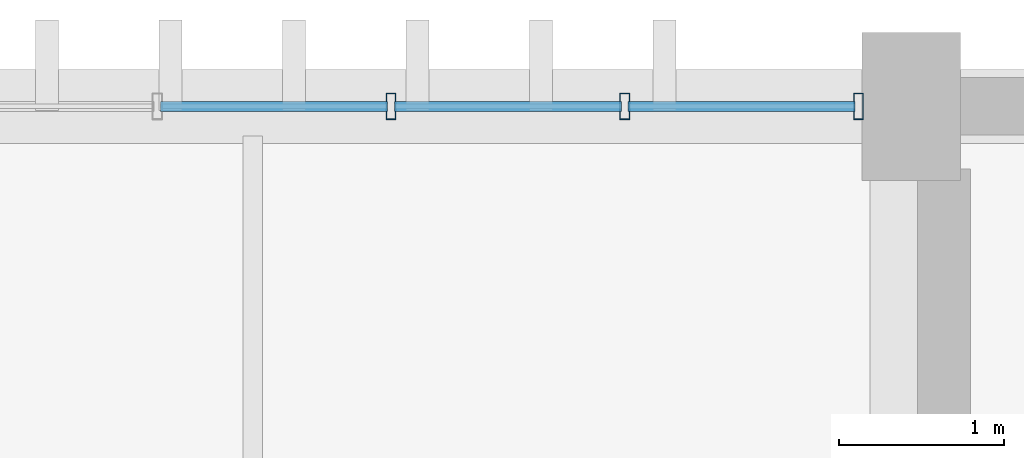
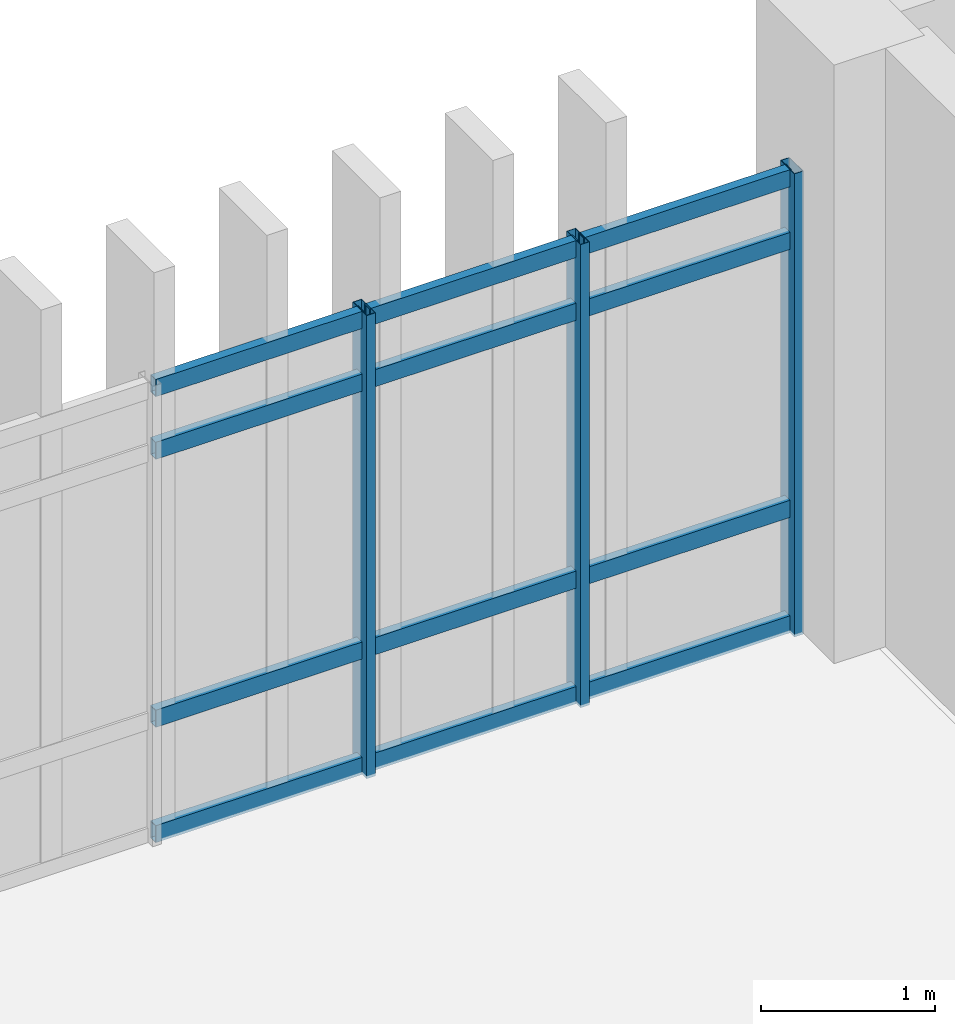
# One storey, part 53 of 111: 15 members, 1 element without a shape of its own.
"""IFC4 building model written with IfcOpenShell, lengths in metres."""

from ifc_helpers import new_model, si_unit, direction, frame, origin, origin_2d, place, context, subcontext, project, spatial, hollow_rectangle, extrude, material, layer, layer_set, material_profile, profile_set, type_object, element, aggregate, save


model = new_model("IFC4")

# Units and contexts
model_context = context("Model", 3, precision=1e-05, world=origin(), true_north=direction((0.0, 1.0)))
body_context = subcontext(model_context, "Body", "Model", "MODEL_VIEW")
ifc_project = project(units=[si_unit("LENGTHUNIT", "METRE"), si_unit("AREAUNIT", "SQUARE_METRE"), si_unit("VOLUMEUNIT", "CUBIC_METRE"), si_unit("PLANEANGLEUNIT", "RADIAN"), si_unit("MASSUNIT", "GRAM", prefix="KILO")], contexts=[model_context])

# Site, building, storey
site_placement = place(None, origin())
site = spatial("IfcSite", under=ifc_project, at=site_placement, CompositionType="ELEMENT")
building_placement = place(site_placement, origin())
building = spatial("IfcBuilding", under=site, at=building_placement, Name="Mersad Railyard Sports Hall", CompositionType="ELEMENT")
storey_placement = place(building_placement, frame((0.0, 0.0, 9.0)))
storey = spatial("IfcBuildingStorey", under=building, at=storey_placement, Name="L02", CompositionType="ELEMENT", Elevation=9.0)

# Curtain wall, members
ifc_material = material(Name="Aluminium 6063-T6", Category="aluminium")
ifc_layer = layer(ifc_material, 0.159912109375)
ifc_layer_set = layer_set([ifc_layer], Name="Aluminium 6063-T6")
curtain_wall_type = type_object("IfcCurtainWallType", Name="ARC-CW-CW52", PredefinedType="USERDEFINED", material=ifc_layer_set)
curtain_wall_placement = place(storey_placement, origin())
curtain_wall = element("IfcCurtainWall", 1, at=curtain_wall_placement, inside=storey, type_object=curtain_wall_type, Name="Curtain wall CW52-0140", ObjectType="CURTAIN WALL", PredefinedType="USERDEFINED")
ifc_material_profile_1 = material_profile(ifc_material, hollow_rectangle(XDim=0.06005859375, YDim=0.159912109375, WallThickness=0.00390625, at=origin_2d()), Name="AL MULLION 60x160x4")
ifc_profile_set_1 = profile_set([ifc_material_profile_1], Name="Aluminium 6063-T6")
member_type_1 = type_object("IfcMemberType", Name="ARC-CW-MUL01", PredefinedType="MULLION", material=ifc_profile_set_1)
member_1_placement = place(storey_placement, frame((87.840087890625, 115.0, -0.02001953125), z_axis=(0.0, 0.0, 1.0), x_axis=(1.0, 0.0, 0.0)))
member_1 = element("IfcMember", 2, at=member_1_placement, type_object=member_type_1, Name="CW52 Mullion 7", PredefinedType="MULLION", context=body_context, shape_type="SweptSolid", body=[
    extrude(hollow_rectangle(XDim=0.06005859375, YDim=0.159912109375, WallThickness=0.00390625, at=origin_2d()), origin(), (0.0, 0.0, 1.0), 3.25),
])
member_2_placement = place(storey_placement, frame((89.260009765625, 115.0, -0.02001953125), z_axis=(0.0, 0.0, 1.0), x_axis=(1.0, 0.0, 0.0)))
member_2 = element("IfcMember", 3, at=member_2_placement, type_object=member_type_1, Name="CW52 Mullion 8", PredefinedType="MULLION", context=body_context, shape_type="SweptSolid", body=[
    extrude(hollow_rectangle(XDim=0.06005859375, YDim=0.159912109375, WallThickness=0.00390625, at=origin_2d()), origin(), (0.0, 0.0, 1.0), 3.25),
])
member_3_placement = place(storey_placement, frame((90.679931640625, 115.0, -0.02001953125), z_axis=(0.0, 0.0, 1.0), x_axis=(1.0, 0.0, 0.0)))
member_3 = element("IfcMember", 4, at=member_3_placement, type_object=member_type_1, Name="CW52 Mullion 9", PredefinedType="MULLION", context=body_context, shape_type="SweptSolid", body=[
    extrude(hollow_rectangle(XDim=0.06005859375, YDim=0.159912109375, WallThickness=0.00390625, at=origin_2d()), origin(), (0.0, 0.0, 1.0), 3.25),
])
ifc_material_profile_2 = material_profile(ifc_material, hollow_rectangle(XDim=0.06005859375, YDim=0.1201171875, WallThickness=0.00390625, at=origin_2d()), Name="AL TRANSOM 60x120x4")
ifc_profile_set_2 = profile_set([ifc_material_profile_2], Name="Aluminium 6063-T6")
member_type_2 = type_object("IfcMemberType", Name="ARC-CW-TRN01", PredefinedType="USERDEFINED", material=ifc_profile_set_2)
member_4_placement = place(storey_placement, frame((86.43994140625, 115.0, 0.0400390625), z_axis=(1.0, 0.0, 0.0), x_axis=(0.0, 1.0, 0.0)))
member_4 = element("IfcMember", 5, at=member_4_placement, type_object=member_type_2, Name="CW52 Transom 1-6", ObjectType="TRANSOM", PredefinedType="USERDEFINED", context=body_context, shape_type="SweptSolid", body=[
    extrude(hollow_rectangle(XDim=0.06005859375, YDim=0.1201171875, WallThickness=0.00390625, at=origin_2d()), origin(), (0.0, 0.0, 1.0), 1.380126953125),
])
member_5_placement = place(storey_placement, frame((87.860107421875, 115.0, 0.0400390625), z_axis=(1.0, 0.0, 0.0), x_axis=(0.0, 1.0, 0.0)))
member_5 = element("IfcMember", 6, at=member_5_placement, type_object=member_type_2, Name="CW52 Transom 1-7", ObjectType="TRANSOM", PredefinedType="USERDEFINED", context=body_context, shape_type="SweptSolid", body=[
    extrude(hollow_rectangle(XDim=0.06005859375, YDim=0.1201171875, WallThickness=0.00390625, at=origin_2d()), origin(), (0.0, 0.0, 1.0), 1.3798828125),
])
member_6_placement = place(storey_placement, frame((89.280029296875, 115.0, 0.0400390625), z_axis=(1.0, 0.0, 0.0), x_axis=(0.0, 1.0, 0.0)))
member_6 = element("IfcMember", 7, at=member_6_placement, type_object=member_type_2, Name="CW52 Transom 1-8", ObjectType="TRANSOM", PredefinedType="USERDEFINED", context=body_context, shape_type="SweptSolid", body=[
    extrude(hollow_rectangle(XDim=0.06005859375, YDim=0.1201171875, WallThickness=0.00390625, at=origin_2d()), origin(), (0.0, 0.0, 1.0), 1.3798828125),
])
member_7_placement = place(storey_placement, frame((86.43994140625, 115.0, 0.85009765625), z_axis=(1.0, 0.0, 0.0), x_axis=(0.0, 1.0, 0.0)))
member_7 = element("IfcMember", 8, at=member_7_placement, type_object=member_type_2, Name="CW52 Transom 2-6", ObjectType="TRANSOM", PredefinedType="USERDEFINED", context=body_context, shape_type="SweptSolid", body=[
    extrude(hollow_rectangle(XDim=0.06005859375, YDim=0.1201171875, WallThickness=0.00390625, at=origin_2d()), origin(), (0.0, 0.0, 1.0), 1.380126953125),
])
member_8_placement = place(storey_placement, frame((87.860107421875, 115.0, 0.85009765625), z_axis=(1.0, 0.0, 0.0), x_axis=(0.0, 1.0, 0.0)))
member_8 = element("IfcMember", 9, at=member_8_placement, type_object=member_type_2, Name="CW52 Transom 2-7", ObjectType="TRANSOM", PredefinedType="USERDEFINED", context=body_context, shape_type="SweptSolid", body=[
    extrude(hollow_rectangle(XDim=0.06005859375, YDim=0.1201171875, WallThickness=0.00390625, at=origin_2d()), origin(), (0.0, 0.0, 1.0), 1.3798828125),
])
member_9_placement = place(storey_placement, frame((89.280029296875, 115.0, 0.85009765625), z_axis=(1.0, 0.0, 0.0), x_axis=(0.0, 1.0, 0.0)))
member_9 = element("IfcMember", 10, at=member_9_placement, type_object=member_type_2, Name="CW52 Transom 2-8", ObjectType="TRANSOM", PredefinedType="USERDEFINED", context=body_context, shape_type="SweptSolid", body=[
    extrude(hollow_rectangle(XDim=0.06005859375, YDim=0.1201171875, WallThickness=0.00390625, at=origin_2d()), origin(), (0.0, 0.0, 1.0), 1.3798828125),
])
member_10_placement = place(storey_placement, frame((86.43994140625, 115.0, 2.72998046875), z_axis=(1.0, 0.0, 0.0), x_axis=(0.0, 1.0, 0.0)))
member_10 = element("IfcMember", 11, at=member_10_placement, type_object=member_type_2, Name="CW52 Transom 3-6", ObjectType="TRANSOM", PredefinedType="USERDEFINED", context=body_context, shape_type="SweptSolid", body=[
    extrude(hollow_rectangle(XDim=0.06005859375, YDim=0.1201171875, WallThickness=0.00390625, at=origin_2d()), origin(), (0.0, 0.0, 1.0), 1.380126953125),
])
member_11_placement = place(storey_placement, frame((87.860107421875, 115.0, 2.72998046875), z_axis=(1.0, 0.0, 0.0), x_axis=(0.0, 1.0, 0.0)))
member_11 = element("IfcMember", 12, at=member_11_placement, type_object=member_type_2, Name="CW52 Transom 3-7", ObjectType="TRANSOM", PredefinedType="USERDEFINED", context=body_context, shape_type="SweptSolid", body=[
    extrude(hollow_rectangle(XDim=0.06005859375, YDim=0.1201171875, WallThickness=0.00390625, at=origin_2d()), origin(), (0.0, 0.0, 1.0), 1.3798828125),
])
member_12_placement = place(storey_placement, frame((89.280029296875, 115.0, 2.72998046875), z_axis=(1.0, 0.0, 0.0), x_axis=(0.0, 1.0, 0.0)))
member_12 = element("IfcMember", 13, at=member_12_placement, type_object=member_type_2, Name="CW52 Transom 3-8", ObjectType="TRANSOM", PredefinedType="USERDEFINED", context=body_context, shape_type="SweptSolid", body=[
    extrude(hollow_rectangle(XDim=0.06005859375, YDim=0.1201171875, WallThickness=0.00390625, at=origin_2d()), origin(), (0.0, 0.0, 1.0), 1.3798828125),
])
member_13_placement = place(storey_placement, frame((86.43994140625, 115.0, 3.169921875), z_axis=(1.0, 0.0, 0.0), x_axis=(0.0, 1.0, 0.0)))
member_13 = element("IfcMember", 14, at=member_13_placement, type_object=member_type_2, Name="CW52 Transom 4-6", ObjectType="TRANSOM", PredefinedType="USERDEFINED", context=body_context, shape_type="SweptSolid", body=[
    extrude(hollow_rectangle(XDim=0.06005859375, YDim=0.1201171875, WallThickness=0.00390625, at=origin_2d()), origin(), (0.0, 0.0, 1.0), 1.380126953125),
])
member_14_placement = place(storey_placement, frame((87.860107421875, 115.0, 3.169921875), z_axis=(1.0, 0.0, 0.0), x_axis=(0.0, 1.0, 0.0)))
member_14 = element("IfcMember", 15, at=member_14_placement, type_object=member_type_2, Name="CW52 Transom 4-7", ObjectType="TRANSOM", PredefinedType="USERDEFINED", context=body_context, shape_type="SweptSolid", body=[
    extrude(hollow_rectangle(XDim=0.06005859375, YDim=0.1201171875, WallThickness=0.00390625, at=origin_2d()), origin(), (0.0, 0.0, 1.0), 1.3798828125),
])
member_15_placement = place(storey_placement, frame((89.280029296875, 115.0, 3.169921875), z_axis=(1.0, 0.0, 0.0), x_axis=(0.0, 1.0, 0.0)))
member_15 = element("IfcMember", 16, at=member_15_placement, type_object=member_type_2, Name="CW52 Transom 4-8", ObjectType="TRANSOM", PredefinedType="USERDEFINED", context=body_context, shape_type="SweptSolid", body=[
    extrude(hollow_rectangle(XDim=0.06005859375, YDim=0.1201171875, WallThickness=0.00390625, at=origin_2d()), origin(), (0.0, 0.0, 1.0), 1.3798828125),
])
aggregate(curtain_wall, [member_1, member_2, member_3, member_4, member_5, member_6, member_7, member_8, member_9, member_10, member_11, member_12, member_13, member_14, member_15])

save(model, "model.ifc")
